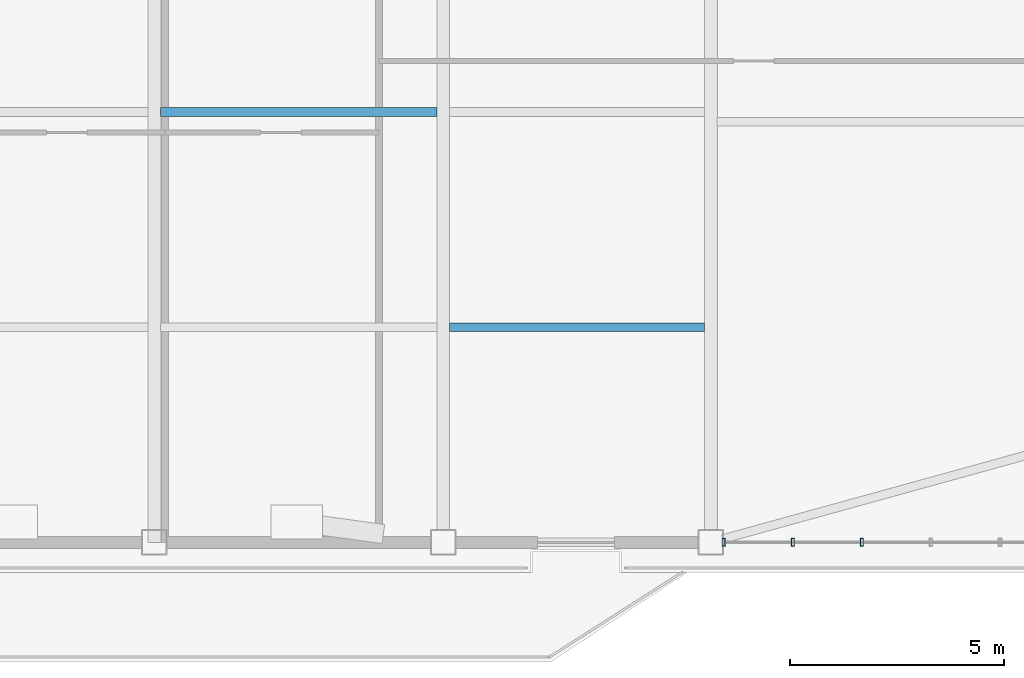
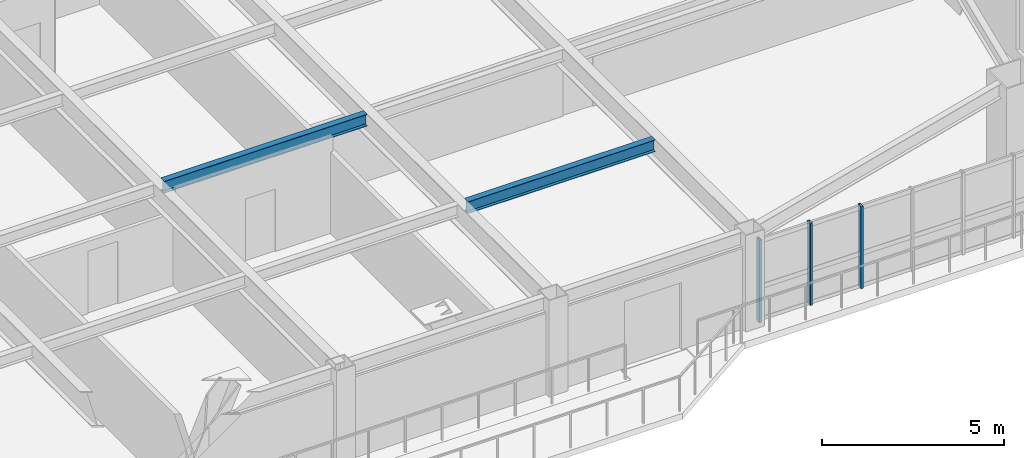
# One storey, part 4 of 17: 3 members, 2 beams, 1 element without a shape of its own.
"""IFC4 building model written with IfcOpenShell, lengths in metres."""

import ifcopenshell
import ifcopenshell.guid

model = None  # the IFC model being written
_history = None  # IfcOwnerHistory: only IFC2X3 demands one
_inside = {}  # id of a spatial element -> (the spatial element, [elements in it])
_under = {}  # id of a project, library or spatial element -> (it, [spatial elements below it])
_declared = {}  # id of a project -> (the project, [libraries it declares])
_typed = {}  # id of a type object -> (the type object, [elements of that type])
_made_of = {}  # id of a material, layer set ... -> (it, [elements and type objects made of it])


def new_model(schema):
    """Start an empty IFC model of exactly this schema.

    Asked for "IFC4X3", IfcOpenShell would pick the latest addendum, in which some entities
    have other attributes; the version numbers below select the first issue.
    IFC2X3 requires an IfcOwnerHistory on every rooted entity: one is made here for all.
    """
    global model, _history
    if schema == "IFC4X3":
        model = ifcopenshell.file(schema_version=(4, 3, 0, 0))
    else:
        model = ifcopenshell.file(schema=schema)
    _inside.clear()
    _under.clear()
    _declared.clear()
    _typed.clear()
    _made_of.clear()
    _history = None
    if model.schema == "IFC2X3":
        org = make("IfcOrganization", Name="unknown")
        user = make(
            "IfcPersonAndOrganization",
            ThePerson=make("IfcPerson", FamilyName="unknown"),
            TheOrganization=org,
        )
        app = make(
            "IfcApplication",
            ApplicationDeveloper=org,
            Version="unknown",
            ApplicationFullName="unknown",
            ApplicationIdentifier="unknown",
        )
        _history = make(
            "IfcOwnerHistory",
            OwningUser=user,
            OwningApplication=app,
            ChangeAction="ADDED",
            CreationDate=0,
        )
    return model


def make(cls, **values):
    """One entity of the class cls with the attributes given. An attribute that is None is left unset."""
    return model.create_entity(
        cls, **{name: value for name, value in values.items() if value is not None}
    )


def rooted(cls, **values):
    """An entity with a GlobalId (a new one), such as an element, a storey or a relation."""
    return make(cls, GlobalId=ifcopenshell.guid.new(), OwnerHistory=_history, **values)


def si_unit(unit_type, name, prefix=None):
    """IfcSIUnit, for example si_unit("LENGTHUNIT", "METRE", prefix="MILLI")."""
    return make("IfcSIUnit", UnitType=unit_type, Prefix=prefix, Name=name)


def assignment(units):
    """IfcUnitAssignment: the units of a project."""
    return None if units is None else make("IfcUnitAssignment", Units=units)


def point(xyz):
    """IfcCartesianPoint."""
    return None if xyz is None else make("IfcCartesianPoint", Coordinates=xyz)


def direction(xyz):
    """IfcDirection."""
    return None if xyz is None else make("IfcDirection", DirectionRatios=xyz)


def frame(location, z_axis=None, x_axis=None):
    """IfcAxis2Placement3D, a coordinate frame: its origin and axes. An axis left out is left unset."""
    return make(
        "IfcAxis2Placement3D",
        Location=point(location),
        Axis=direction(z_axis),
        RefDirection=direction(x_axis),
    )


def frame_2d(location, x_axis=None):
    """IfcAxis2Placement2D, a coordinate frame in the plane: its origin and x axis."""
    return make(
        "IfcAxis2Placement2D", Location=point(location), RefDirection=direction(x_axis)
    )


def origin():
    """The frame at (0, 0, 0) with its axes left unset."""
    return frame((0.0, 0.0, 0.0))


def origin_2d():
    """The frame at (0, 0) in the plane with its x axis left unset."""
    return frame_2d((0.0, 0.0))


def place(relative_to, where):
    """IfcLocalPlacement: puts the frame where relative to a parent placement (None: the world)."""
    return make(
        "IfcLocalPlacement", PlacementRelTo=relative_to, RelativePlacement=where
    )


def context(
    kind, dimensions, precision=None, world=None, true_north=None, identifier=None
):
    """IfcGeometricRepresentationContext, for example the 3D "Model" context."""
    return make(
        "IfcGeometricRepresentationContext",
        ContextIdentifier=identifier,
        ContextType=kind,
        CoordinateSpaceDimension=dimensions,
        Precision=precision,
        WorldCoordinateSystem=world,
        TrueNorth=true_north,
    )


def subcontext(parent, identifier, kind, view, scale=None):
    """IfcGeometricRepresentationSubContext, for example "Body" below "Model"."""
    return make(
        "IfcGeometricRepresentationSubContext",
        ContextIdentifier=identifier,
        ContextType=kind,
        ParentContext=parent,
        TargetScale=scale,
        TargetView=view,
    )


def project(units=None, contexts=None):
    """IfcProject with its units and contexts."""
    return rooted(
        "IfcProject",
        Name="project",
        RepresentationContexts=contexts,
        UnitsInContext=assignment(units),
    )


def spatial(cls, under=None, at=None, **own):
    """A site, building, storey or space (cls), placed at a placement, below another one or the project."""
    s = rooted(cls, ObjectPlacement=at, **own)
    if under is not None:
        _under.setdefault(under.id(), (under, []))[1].append(s)
    return s


def profile(cls, at=None, kind="AREA", **sizes):
    """A parametric profile (cls). Its sizes go by their IFC names, for example OverallWidth=200.0."""
    return make(cls, ProfileType=kind, Position=at, **sizes)


def hollow_rectangle(**sizes):
    """IfcRectangleHollowProfileDef."""
    return profile("IfcRectangleHollowProfileDef", **sizes)


def i_section(**sizes):
    """IfcIShapeProfileDef."""
    return profile("IfcIShapeProfileDef", **sizes)


def extrude(swept, where, along, depth):
    """IfcExtrudedAreaSolid: the profile swept, set in the frame where, extruded along a direction by depth."""
    return make(
        "IfcExtrudedAreaSolid",
        SweptArea=swept,
        Position=where,
        ExtrudedDirection=direction(along),
        Depth=depth,
    )


def shape(context_of_items, identifier, shape_type, items):
    """IfcShapeRepresentation: the items that make up one representation, for example the "Body"."""
    return make(
        "IfcShapeRepresentation",
        ContextOfItems=context_of_items,
        RepresentationIdentifier=identifier,
        RepresentationType=shape_type,
        Items=items,
    )


def source(mapping_origin, context_of_items, identifier, shape_type, items):
    """IfcRepresentationMap: a shape defined once, which mapped items show again and again."""
    return make(
        "IfcRepresentationMap",
        MappingOrigin=mapping_origin,
        MappedRepresentation=shape(context_of_items, identifier, shape_type, items),
    )


def transform(
    local_origin,
    x_axis=None,
    y_axis=None,
    z_axis=None,
    scale=None,
    scale2=None,
    scale3=None,
    uniform=True,
):
    """IfcCartesianTransformationOperator3D, or its non-uniform kind. x_axis, y_axis, z_axis: its Axis1, 2, 3."""
    if uniform:
        return make(
            "IfcCartesianTransformationOperator3D",
            Axis1=direction(x_axis),
            Axis2=direction(y_axis),
            LocalOrigin=point(local_origin),
            Scale=scale,
            Axis3=direction(z_axis),
        )
    return make(
        "IfcCartesianTransformationOperator3DnonUniform",
        Axis1=direction(x_axis),
        Axis2=direction(y_axis),
        LocalOrigin=point(local_origin),
        Scale=scale,
        Axis3=direction(z_axis),
        Scale2=scale2,
        Scale3=scale3,
    )


def mapped(mapping_source, mapping_target):
    """IfcMappedItem: shows the shape of a source again, moved by a transform."""
    return make(
        "IfcMappedItem", MappingSource=mapping_source, MappingTarget=mapping_target
    )


def material(Name=None, Category=None):
    """IfcMaterial."""
    return make("IfcMaterial", Name=Name, Category=Category)


def layer(
    of_material, thickness, ventilated=None, Name=None, Category=None, Priority=None
):
    """IfcMaterialLayer: one layer of a wall or slab, of a material (None: an air gap)."""
    return make(
        "IfcMaterialLayer",
        Material=of_material,
        LayerThickness=thickness,
        IsVentilated=ventilated,
        Name=Name,
        Category=Category,
        Priority=Priority,
    )


def layer_set(layers, Name=None):
    """IfcMaterialLayerSet."""
    return make("IfcMaterialLayerSet", MaterialLayers=layers, LayerSetName=Name)


def material_profile(
    of_material, cross_section, Name=None, Category=None, Priority=None
):
    """IfcMaterialProfile: a cross section and its material."""
    return make(
        "IfcMaterialProfile",
        Name=Name,
        Material=of_material,
        Profile=cross_section,
        Priority=Priority,
        Category=Category,
    )


def profile_set(profiles, Name=None, composite=None):
    """IfcMaterialProfileSet."""
    return make(
        "IfcMaterialProfileSet",
        Name=Name,
        MaterialProfiles=profiles,
        CompositeProfile=composite,
    )


def made_of(thing, what):
    """Note that an element or type object is made of a material, layer set ...; save() writes the relation."""
    if what is not None:
        _made_of.setdefault(what.id(), (what, []))[1].append(thing)
    return thing


def type_object(cls, material=None, **own):
    """A type object (cls), such as IfcWallType, which elements share."""
    return made_of(rooted(cls, **own), material)


def element(
    cls,
    number,
    at=None,
    inside=None,
    cuts=None,
    type_object=None,
    material=None,
    context=None,
    identifier="Body",
    shape_type=None,
    held_by="IfcProductDefinitionShape",
    body=None,
    shapes=None,
    **own,
):
    """One element of the class cls, such as IfcWall. Its Tag is "e" and its number.

    at: its placement. inside: the storey or other place that contains it. cuts: it is an
    opening in that element (IfcRelVoidsElement). A single representation is given by context,
    identifier, shape_type and body (its items); several are given by shapes. held_by: the class
    of the entity that holds the representations. save() writes the other relations.
    """
    e = rooted(cls, Tag="e%d" % number, ObjectPlacement=at, **own)
    if body is not None:
        shapes = [shape(context, identifier, shape_type, body)]
    if shapes is not None:
        e.Representation = make(held_by, Representations=shapes)
    if inside is not None:
        _inside.setdefault(inside.id(), (inside, []))[1].append(e)
    if cuts is not None:
        rooted(
            "IfcRelVoidsElement", RelatingBuildingElement=cuts, RelatedOpeningElement=e
        )
    if type_object is not None:
        _typed.setdefault(type_object.id(), (type_object, []))[1].append(e)
    return made_of(e, material)


def aggregate(whole, parts):
    """IfcRelAggregates: a whole, such as a stair, and the parts it consists of."""
    return rooted("IfcRelAggregates", RelatingObject=whole, RelatedObjects=parts)


def save(model, path):
    """Write the relations noted so far, then the file.

    IfcRelAggregates (storeys below a building ...), IfcRelContainedInSpatialStructure (elements
    in a storey), IfcRelDefinesByType, IfcRelAssociatesMaterial and IfcRelDeclares: one each for
    every whole, place, type object, material and project.
    """
    for whole, parts in _under.values():
        aggregate(whole, parts)
    for where, things in _inside.values():
        rooted(
            "IfcRelContainedInSpatialStructure",
            RelatedElements=things,
            RelatingStructure=where,
        )
    for kind, things in _typed.values():
        rooted("IfcRelDefinesByType", RelatedObjects=things, RelatingType=kind)
    for what, things in _made_of.values():
        rooted("IfcRelAssociatesMaterial", RelatedObjects=things, RelatingMaterial=what)
    for by, libraries in _declared.values():
        rooted("IfcRelDeclares", RelatingContext=by, RelatedDefinitions=libraries)
    model.write(path)


model = new_model("IFC4")

# Units and contexts
model_context = context("Model", 3, precision=1e-05, world=origin(), true_north=direction((0.0, 1.0)))
body_context = subcontext(model_context, "Body", "Model", "MODEL_VIEW")
ifc_project = project(units=[si_unit("LENGTHUNIT", "METRE"), si_unit("AREAUNIT", "SQUARE_METRE"), si_unit("VOLUMEUNIT", "CUBIC_METRE"), si_unit("PLANEANGLEUNIT", "RADIAN"), si_unit("MASSUNIT", "GRAM", prefix="KILO")], contexts=[model_context])

# Site, building, storey
site_placement = place(None, origin())
site = spatial("IfcSite", under=ifc_project, at=site_placement, CompositionType="ELEMENT")
building_placement = place(site_placement, origin())
building = spatial("IfcBuilding", under=site, at=building_placement, Name="Giltprow Tower", CompositionType="ELEMENT")
storey_placement = place(building_placement, frame((0.0, 0.0, 216.699951171875)))
storey = spatial("IfcBuildingStorey", under=building, at=storey_placement, Name="L55", CompositionType="ELEMENT", Elevation=216.699951171875)

# Beams
ifc_material_1 = material(Name="Structural steel Q355B", Category="steel")
ifc_material_profile_1 = material_profile(ifc_material_1, i_section(OverallWidth=0.199951171875, OverallDepth=0.39990234375, WebThickness=0.008056640625, FlangeThickness=0.012939453125, at=origin_2d()), Name="HN 400x200x8x13")
ifc_profile_set_1 = profile_set([ifc_material_profile_1], Name="Structural steel Q355B")
beam_type = type_object("IfcBeamType", Name="BM-JOIST-HN400", PredefinedType="JOIST", material=ifc_profile_set_1)
shared_shape_1 = source(origin(), body_context, "Body", "SweptSolid", [
    extrude(i_section(OverallWidth=0.199951171875, OverallDepth=0.39990234375, WebThickness=0.008056640625, FlangeThickness=0.012939453125, at=origin_2d()), origin(), (0.0, 0.0, 1.0), 6.4599609375),
])
beam_1_placement = place(storey_placement, frame((37.695068359375, 22.37109375, 3.0400390625), z_axis=(1.0, 0.0, 0.0), x_axis=(0.0, 1.0, 0.0)))
element("IfcBeam", 1, at=beam_1_placement, inside=storey, type_object=beam_type, Name="L55 Composite Floor Joist 2-3", PredefinedType="JOIST", context=body_context, shape_type="MappedRepresentation", body=[
    mapped(shared_shape_1, transform((0.0, 0.0, 0.0), x_axis=(1.0, 0.0, 0.0), y_axis=(0.0, 1.0, 0.0), z_axis=(0.0, 0.0, 1.0), scale=1.0)),
])
shared_shape_2 = source(origin(), body_context, "Body", "SweptSolid", [
    extrude(i_section(OverallWidth=0.199951171875, OverallDepth=0.39990234375, WebThickness=0.008056640625, FlangeThickness=0.012939453125, at=origin_2d()), origin(), (0.0, 0.0, 1.0), 5.9599609375),
])
beam_2_placement = place(storey_placement, frame((44.445068359375, 17.343994140625, 3.0400390625), z_axis=(1.0, 0.0, 0.0), x_axis=(0.0, 1.0, 0.0)))
element("IfcBeam", 2, at=beam_2_placement, inside=storey, type_object=beam_type, Name="L55 Composite Floor Joist 1-4", PredefinedType="JOIST", context=body_context, shape_type="MappedRepresentation", body=[
    mapped(shared_shape_2, transform((0.0, 0.0, 0.0), x_axis=(1.0, 0.0, 0.0), y_axis=(0.0, 1.0, 0.0), z_axis=(0.0, 0.0, 1.0), scale=1.0)),
])

# Curtain wall, members
ifc_material_2 = material(Name="Anodized bronze", Category="metal")
ifc_layer = layer(ifc_material_2, 0.179931640625, Name="Anodized bronze")
ifc_layer_set = layer_set([ifc_layer], Name="Anodized bronze")
curtain_wall_type = type_object("IfcCurtainWallType", Name="CW-HTL-BRONZE", PredefinedType="NOTDEFINED", material=ifc_layer_set)
curtain_wall_placement = place(storey_placement, origin())
curtain_wall = element("IfcCurtainWall", 3, at=curtain_wall_placement, inside=storey, type_object=curtain_wall_type, Name="L55 South Recessed Curtain Wall 6", PredefinedType="NOTDEFINED")
ifc_material_profile_2 = material_profile(ifc_material_2, hollow_rectangle(XDim=0.074951171875, YDim=0.179931640625, WallThickness=0.008056640625, at=origin_2d()), Name="RHS 180x75x8")
ifc_profile_set_2 = profile_set([ifc_material_profile_2], Name="Anodized bronze")
member_type = type_object("IfcMemberType", Name="CW-MULLION-180x75", PredefinedType="MULLION", material=ifc_profile_set_2)
shared_shape_3 = source(origin(), body_context, "Body", "SweptSolid", [
    extrude(hollow_rectangle(XDim=0.074951171875, YDim=0.179931640625, WallThickness=0.008056640625, at=origin_2d()), origin(), (0.0, 0.0, 1.0), 2.775146484375),
])
member_1_placement = place(storey_placement, frame((50.85009765625, 12.318115234375, -0.02001953125), z_axis=(0.0, 0.0, 1.0), x_axis=(1.0, 0.0, 0.0)))
member_1 = element("IfcMember", 4, at=member_1_placement, type_object=member_type, Name="L55 South Recessed Curtain Wall 6 Mullion 1", PredefinedType="MULLION", context=body_context, shape_type="MappedRepresentation", body=[
    mapped(shared_shape_3, transform((0.0, 0.0, 0.0), x_axis=(1.0, 0.0, 0.0), y_axis=(0.0, 1.0, 0.0), z_axis=(0.0, 0.0, 1.0), scale=1.0)),
])
member_2_placement = place(storey_placement, frame((52.462890625, 12.318115234375, -0.02001953125), z_axis=(0.0, 0.0, 1.0), x_axis=(1.0, 0.0, 0.0)))
member_2 = element("IfcMember", 5, at=member_2_placement, type_object=member_type, Name="L55 South Recessed Curtain Wall 6 Mullion 2", PredefinedType="MULLION", context=body_context, shape_type="MappedRepresentation", body=[
    mapped(shared_shape_3, transform((0.0, 0.0, 0.0), x_axis=(1.0, 0.0, 0.0), y_axis=(0.0, 1.0, 0.0), z_axis=(0.0, 0.0, 1.0), scale=1.0)),
])
member_3_placement = place(storey_placement, frame((54.075927734375, 12.318115234375, -0.02001953125), z_axis=(0.0, 0.0, 1.0), x_axis=(1.0, 0.0, 0.0)))
member_3 = element("IfcMember", 6, at=member_3_placement, type_object=member_type, Name="L55 South Recessed Curtain Wall 6 Mullion 3", PredefinedType="MULLION", context=body_context, shape_type="MappedRepresentation", body=[
    mapped(shared_shape_3, transform((0.0, 0.0, 0.0), x_axis=(1.0, 0.0, 0.0), y_axis=(0.0, 1.0, 0.0), z_axis=(0.0, 0.0, 1.0), scale=1.0)),
])
aggregate(curtain_wall, [member_1, member_2, member_3])

save(model, "model.ifc")
